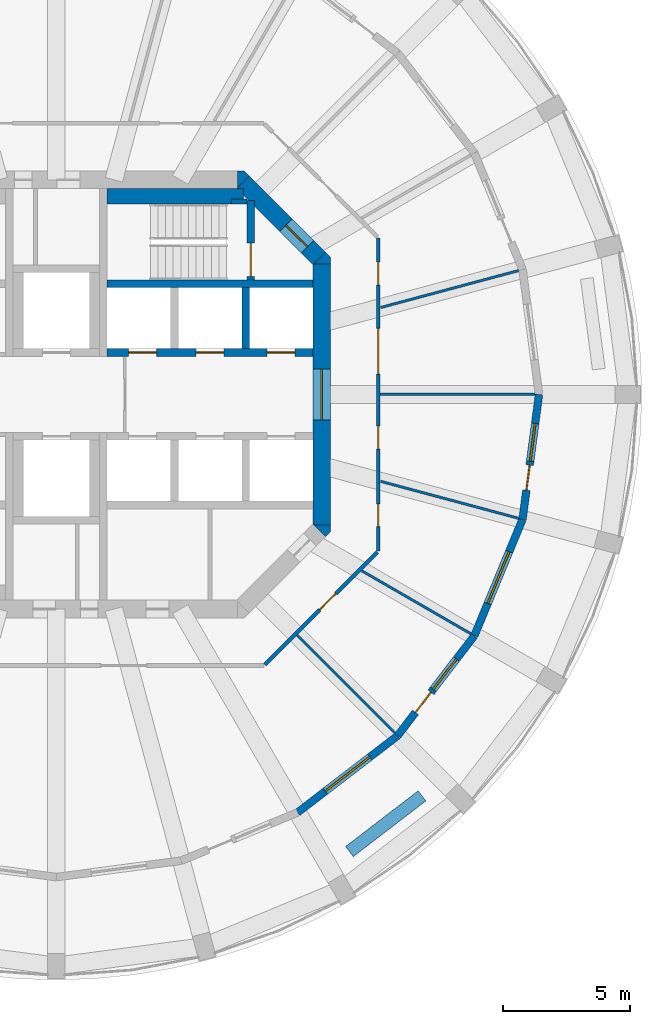
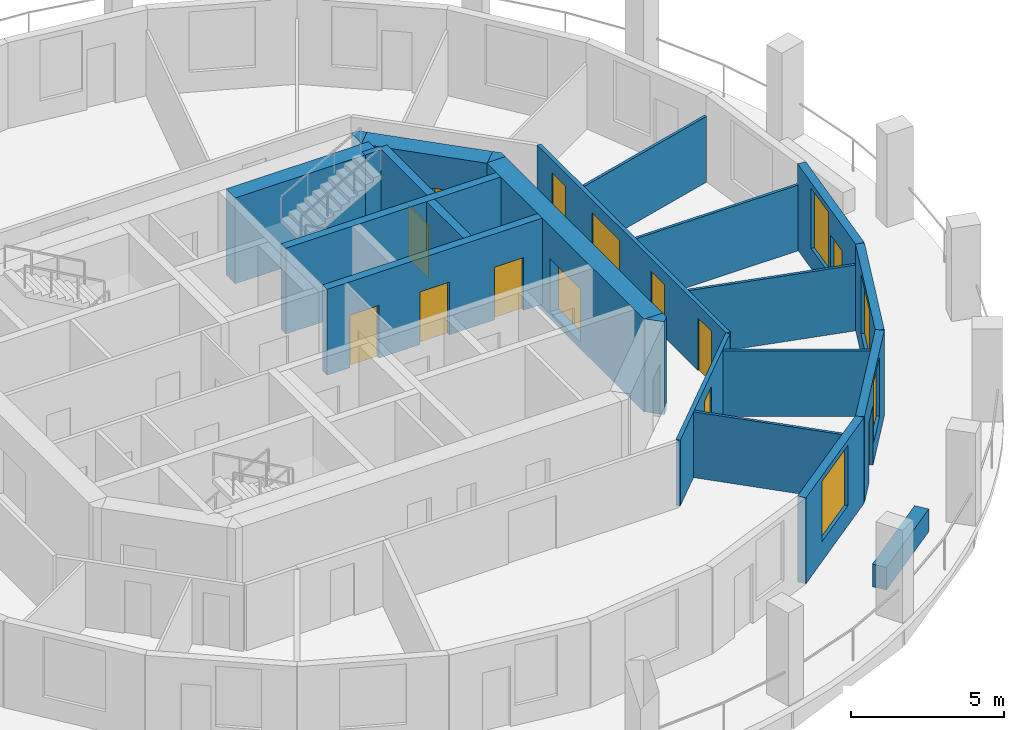
# One storey, part 5 of 9: 23 walls, 13 doors, 4 windows, 17 openings.
"""IFC4 building model written with IfcOpenShell, lengths in metres."""

from ifc_helpers import new_model, si_unit, direction, frame, frame_2d, origin, place, context, subcontext, project, spatial, polyline, rectangle, outline, extrude, material, layer, layer_set, type_object, element, fill, save


model = new_model("IFC4")

# Units and contexts
model_context = context("Model", 3, precision=1e-05, world=origin(), true_north=direction((0.0, 1.0)))
body_context = subcontext(model_context, "Body", "Model", "MODEL_VIEW")
ifc_project = project(units=[si_unit("LENGTHUNIT", "METRE"), si_unit("AREAUNIT", "SQUARE_METRE"), si_unit("VOLUMEUNIT", "CUBIC_METRE"), si_unit("PLANEANGLEUNIT", "RADIAN"), si_unit("MASSUNIT", "GRAM", prefix="KILO")], contexts=[model_context])

# Site, building, storey
site_placement = place(None, origin())
site = spatial("IfcSite", under=ifc_project, at=site_placement, CompositionType="ELEMENT")
building_placement = place(site_placement, origin())
building = spatial("IfcBuilding", under=site, at=building_placement, Name="Torre Triforio", CompositionType="ELEMENT")
storey_placement = place(building_placement, frame((0.0, 0.0, 157.89990234375)))
storey = spatial("IfcBuildingStorey", under=building, at=storey_placement, Name="L35", CompositionType="ELEMENT", Elevation=157.89990234375)

# Wall, opening, door
ifc_material_1 = material(Name="Concrete C50", Category="concrete")
ifc_layer_1 = layer(ifc_material_1, 0.699951171875)
ifc_layer_set_1 = layer_set([ifc_layer_1], Name="Concrete C50")
wall_type_1 = type_object("IfcWallType", Name="Core wall 700 mm C50 EI 120", PredefinedType="SHEAR", material=ifc_layer_set_1)
wall_1_placement = place(storey_placement, frame((10.449951171875, -5.1298828125, -0.27978515625), z_axis=(0.0, 0.0, 1.0), x_axis=(0.0, 1.0, 0.0)))
wall_1 = element("IfcWall", 1, at=wall_1_placement, inside=storey, type_object=wall_type_1, Name="Core wall", PredefinedType="SHEAR", context=body_context, shape_type="SweptSolid", body=[
    extrude(rectangle(XDim=10.259765625, YDim=0.699951171875, at=frame_2d((5.1298828125, 0.0))), origin(), (0.0, 0.0, 1.0), 3.699951171875),
])
opening_1_placement = place(wall_1_placement, frame((4.1298828125, 0.0, 0.280029296875)))
opening_1 = element("IfcOpeningElement", 2, at=opening_1_placement, cuts=wall_1, Name="Opening E-RING", PredefinedType="OPENING", context=body_context, shape_type="SweptSolid", body=[
    extrude(rectangle(XDim=2.0, YDim=2.10009765625, at=frame_2d((1.0, 1.050048828125))), frame((0.0, 0.35986328125, 0.0), z_axis=(0.0, -1.0, 0.0), x_axis=(1.0, 0.0, 0.0)), (0.0, 0.0, 1.0), 0.719970703125),
])
ifc_material_2 = material(Name="Hollow metal fire door leaf")
door_type_1 = type_object("IfcDoorType", Name="Lobby door 2000 x 2100 EI 60", OperationType="DOUBLE_DOOR_SINGLE_SWING", PredefinedType="DOOR", material=ifc_material_2)
door_1_placement = place(opening_1_placement, origin())
door_1 = element("IfcDoor", 3, at=door_1_placement, inside=storey, type_object=door_type_1, Name="Core door E-RING", OperationType="DOUBLE_DOOR_SINGLE_SWING", OverallHeight=2.10009765625, OverallWidth=2.0, PredefinedType="DOOR", context=body_context, shape_type="SweptSolid", body=[
    extrude(rectangle(XDim=2.0, YDim=2.10009765625, at=frame_2d((1.0, 1.050048828125))), frame((0.0, 0.02490234375, 0.0), z_axis=(0.0, -1.0, 0.0), x_axis=(1.0, 0.0, 0.0)), (0.0, 0.0, 1.0), 0.050048828125),
])
fill(opening_1, door_1)

wall_2_placement = place(storey_placement, frame((7.347412109375, 8.347412109375, -0.27978515625), z_axis=(0.0, 0.0, 1.0), x_axis=(0.707106781187, -0.707106781187, 0.0)))
wall_2 = element("IfcWall", 4, at=wall_2_placement, inside=storey, type_object=wall_type_1, Name="Core wall", PredefinedType="SHEAR", context=body_context, shape_type="SweptSolid", body=[
    extrude(rectangle(XDim=4.24267578125, YDim=0.699951171875, at=frame_2d((2.121337890625, 0.0))), origin(), (0.0, 0.0, 1.0), 3.699951171875),
])
opening_2_placement = place(wall_2_placement, frame((2.392578125, 0.0, 0.280029296875)))
opening_2 = element("IfcOpeningElement", 5, at=opening_2_placement, cuts=wall_2, Name="Opening ST2-EXIT", PredefinedType="OPENING", context=body_context, shape_type="SweptSolid", body=[
    extrude(rectangle(XDim=1.199951171875, YDim=2.10009765625, at=frame_2d((0.60009765625, 1.050048828125))), frame((0.0, 0.35986328125, 0.0), z_axis=(0.0, -1.0, 0.0), x_axis=(1.0, 0.0, 0.0)), (0.0, 0.0, 1.0), 0.719970703125),
])
door_type_2 = type_object("IfcDoorType", Name="Stair lobby door 1200 x 2100 EI 60", OperationType="NOTDEFINED", PredefinedType="DOOR", material=ifc_material_2)
door_2_placement = place(opening_2_placement, origin())
door_2 = element("IfcDoor", 6, at=door_2_placement, inside=storey, type_object=door_type_2, Name="Core door ST2-EXIT", OperationType="SINGLE_SWING_RIGHT", OverallHeight=2.10009765625, OverallWidth=1.199951171875, PredefinedType="DOOR", context=body_context, shape_type="SweptSolid", body=[
    extrude(rectangle(XDim=1.199951171875, YDim=2.10009765625, at=frame_2d((0.60009765625, 1.050048828125))), frame((0.0, 0.02490234375, 0.0), z_axis=(0.0, -1.0, 0.0), x_axis=(1.0, 0.0, 0.0)), (0.0, 0.0, 1.0), 0.050048828125),
])
fill(opening_2, door_2)

# Walls
wall_3_placement = place(storey_placement, frame((0.0, 0.0, -0.27978515625)))
element("IfcWall", 7, at=wall_3_placement, inside=storey, type_object=wall_type_1, Name="Core wall", PredefinedType="SHEAR", context=body_context, shape_type="SweptSolid", body=[
    extrude(outline(polyline([(10.800048828125, -5.389892578125), (10.594970703125, -5.594970703125), (10.594970703125, -5.594970703125), (10.594970703125, -5.594970703125), (10.1298828125, -5.1298828125), (10.800048828125, -5.1298828125), (10.800048828125, -5.1298828125), (10.800048828125, -5.389892578125)])), origin(), (0.0, 0.0, 1.0), 3.699951171875),
])
wall_4_placement = place(storey_placement, frame((0.0, 0.0, -0.27978515625)))
element("IfcWall", 8, at=wall_4_placement, inside=storey, type_object=wall_type_1, Name="Core wall", PredefinedType="SHEAR", context=body_context, shape_type="SweptSolid", body=[
    extrude(outline(polyline([(10.800048828125, 5.389892578125), (10.800048828125, 5.1298828125), (10.800048828125, 5.1298828125), (10.1298828125, 5.1298828125), (10.594970703125, 5.594970703125), (10.594970703125, 5.594970703125), (10.594970703125, 5.594970703125), (10.800048828125, 5.389892578125)])), origin(), (0.0, 0.0, 1.0), 3.699951171875),
])
wall_5_placement = place(storey_placement, frame((0.0, 0.0, -0.27978515625)))
element("IfcWall", 9, at=wall_5_placement, inside=storey, type_object=wall_type_1, Name="Core wall", PredefinedType="SHEAR", context=body_context, shape_type="SweptSolid", body=[
    extrude(outline(polyline([(7.389892578125, 8.800048828125), (7.594970703125, 8.594970703125), (7.594970703125, 8.594970703125), (7.594970703125, 8.594970703125), (7.1298828125, 8.1298828125), (7.1298828125, 8.800048828125), (7.1298828125, 8.800048828125), (7.389892578125, 8.800048828125)])), origin(), (0.0, 0.0, 1.0), 3.699951171875),
])

# Wall, opening, door
ifc_material_3 = material(Name="Plasterboard on metal studs")
ifc_layer_2 = layer(ifc_material_3, 0.14990234375)
ifc_layer_set_2 = layer_set([ifc_layer_2], Name="Plasterboard on metal studs")
wall_type_2 = type_object("IfcWallType", Name="Corridor and tenancy wall 150 mm EI 60", PredefinedType="PARTITIONING", material=ifc_layer_set_2)
wall_6_placement = place(storey_placement, frame((12.637939453125, -6.20361328125, 0.0), z_axis=(0.0, 0.0, 1.0), x_axis=(-0.707106781187, -0.707106781187, 0.0)))
wall_6 = element("IfcWall", 10, at=wall_6_placement, inside=storey, type_object=wall_type_2, Name="Partition 1", PredefinedType="PARTITIONING", context=body_context, shape_type="SweptSolid", body=[
    extrude(rectangle(XDim=6.27099609375, YDim=0.14990234375, at=frame_2d((3.135498046875, 0.0))), origin(), (0.0, 0.0, 1.0), 2.6201171875),
])
opening_3_placement = place(wall_6_placement, frame((2.313720703125, 0.0, 0.0)))
opening_3 = element("IfcOpeningElement", 11, at=opening_3_placement, cuts=wall_6, Name="Opening O1-14", PredefinedType="OPENING", context=body_context, shape_type="SweptSolid", body=[
    extrude(rectangle(XDim=0.89990234375, YDim=2.10009765625, at=frame_2d((0.449951171875, 1.050048828125))), frame((0.0, 0.0849609375, 0.0), z_axis=(0.0, -1.0, 0.0), x_axis=(1.0, 0.0, 0.0)), (0.0, 0.0, 1.0), 0.169921875),
])
ifc_material_4 = material(Name="Timber", Category="wood")
door_type_3 = type_object("IfcDoorType", Name="Door 900 x 2100 single leaf EI 30", OperationType="NOTDEFINED", PredefinedType="DOOR", material=ifc_material_4)
door_3_placement = place(opening_3_placement, origin())
door_3 = element("IfcDoor", 12, at=door_3_placement, inside=storey, type_object=door_type_3, Name="Door O1-14", OperationType="SINGLE_SWING_LEFT", OverallHeight=2.10009765625, OverallWidth=0.89990234375, PredefinedType="DOOR", context=body_context, shape_type="SweptSolid", body=[
    extrude(rectangle(XDim=0.89990234375, YDim=2.10009765625, at=frame_2d((0.449951171875, 1.050048828125))), frame((0.0, 0.02490234375, 0.0), z_axis=(0.0, -1.0, 0.0), x_axis=(1.0, 0.0, 0.0)), (0.0, 0.0, 1.0), 0.050048828125),
])
fill(opening_3, door_3)

# Wall, openings, doors
wall_7_placement = place(storey_placement, frame((12.675048828125, 6.16650390625, 0.0), z_axis=(0.0, 0.0, 1.0), x_axis=(0.0, -1.0, 0.0)))
wall_7 = element("IfcWall", 13, at=wall_7_placement, inside=storey, type_object=wall_type_2, Name="Partition 10", PredefinedType="PARTITIONING", context=body_context, shape_type="SweptSolid", body=[
    extrude(rectangle(XDim=12.3330078125, YDim=0.14990234375, at=frame_2d((6.16650390625, 0.0))), origin(), (0.0, 0.0, 1.0), 2.6201171875),
])
opening_4_placement = place(wall_7_placement, frame((3.567626953125, 0.0, 0.0)))
opening_4 = element("IfcOpeningElement", 14, at=opening_4_placement, cuts=wall_7, Name="Opening O1-01", PredefinedType="OPENING", context=body_context, shape_type="SweptSolid", body=[
    extrude(rectangle(XDim=1.800048828125, YDim=2.10009765625, at=frame_2d((0.89990234375, 1.050048828125))), frame((0.0, 0.0849609375, 0.0), z_axis=(0.0, -1.0, 0.0), x_axis=(1.0, 0.0, 0.0)), (0.0, 0.0, 1.0), 0.169921875),
])
opening_5_placement = place(wall_7_placement, frame((0.960205078125, 0.0, 0.0)))
opening_5 = element("IfcOpeningElement", 15, at=opening_5_placement, cuts=wall_7, Name="Opening O1-02", PredefinedType="OPENING", context=body_context, shape_type="SweptSolid", body=[
    extrude(rectangle(XDim=0.89990234375, YDim=2.10009765625, at=frame_2d((0.449951171875, 1.050048828125))), frame((0.0, 0.0849609375, 0.0), z_axis=(0.0, -1.0, 0.0), x_axis=(1.0, 0.0, 0.0)), (0.0, 0.0, 1.0), 0.169921875),
])
opening_6_placement = place(wall_7_placement, frame((10.47314453125, 0.0, 0.0)))
opening_6 = element("IfcOpeningElement", 16, at=opening_6_placement, cuts=wall_7, Name="Opening O1-15", PredefinedType="OPENING", context=body_context, shape_type="SweptSolid", body=[
    extrude(rectangle(XDim=0.89990234375, YDim=2.10009765625, at=frame_2d((0.449951171875, 1.050048828125))), frame((0.0, 0.0849609375, 0.0), z_axis=(0.0, -1.0, 0.0), x_axis=(1.0, 0.0, 0.0)), (0.0, 0.0, 1.0), 0.169921875),
])
opening_7_placement = place(wall_7_placement, frame((7.41552734375, 0.0, 0.0)))
opening_7 = element("IfcOpeningElement", 17, at=opening_7_placement, cuts=wall_7, Name="Opening O1-16", PredefinedType="OPENING", context=body_context, shape_type="SweptSolid", body=[
    extrude(rectangle(XDim=0.89990234375, YDim=2.10009765625, at=frame_2d((0.449951171875, 1.050048828125))), frame((0.0, 0.0849609375, 0.0), z_axis=(0.0, -1.0, 0.0), x_axis=(1.0, 0.0, 0.0)), (0.0, 0.0, 1.0), 0.169921875),
])
door_type_4 = type_object("IfcDoorType", Name="Door 1800 x 2100 double leaf EI 30", OperationType="DOUBLE_DOOR_SINGLE_SWING", PredefinedType="DOOR", material=ifc_material_4)
door_4_placement = place(opening_4_placement, origin())
door_4 = element("IfcDoor", 18, at=door_4_placement, inside=storey, type_object=door_type_4, Name="Door O1-01", OperationType="DOUBLE_DOOR_SINGLE_SWING", OverallHeight=2.10009765625, OverallWidth=1.800048828125, PredefinedType="DOOR", context=body_context, shape_type="SweptSolid", body=[
    extrude(rectangle(XDim=1.800048828125, YDim=2.10009765625, at=frame_2d((0.89990234375, 1.050048828125))), frame((0.0, 0.02490234375, 0.0), z_axis=(0.0, -1.0, 0.0), x_axis=(1.0, 0.0, 0.0)), (0.0, 0.0, 1.0), 0.050048828125),
])
fill(opening_4, door_4)
door_5_placement = place(opening_5_placement, origin())
door_5 = element("IfcDoor", 19, at=door_5_placement, inside=storey, type_object=door_type_3, Name="Door O1-02", OperationType="SINGLE_SWING_LEFT", OverallHeight=2.10009765625, OverallWidth=0.89990234375, PredefinedType="DOOR", context=body_context, shape_type="SweptSolid", body=[
    extrude(rectangle(XDim=0.89990234375, YDim=2.10009765625, at=frame_2d((0.449951171875, 1.050048828125))), frame((0.0, 0.02490234375, 0.0), z_axis=(0.0, -1.0, 0.0), x_axis=(1.0, 0.0, 0.0)), (0.0, 0.0, 1.0), 0.050048828125),
])
fill(opening_5, door_5)
door_6_placement = place(opening_6_placement, origin())
door_6 = element("IfcDoor", 20, at=door_6_placement, inside=storey, type_object=door_type_3, Name="Door O1-15", OperationType="SINGLE_SWING_LEFT", OverallHeight=2.10009765625, OverallWidth=0.89990234375, PredefinedType="DOOR", context=body_context, shape_type="SweptSolid", body=[
    extrude(rectangle(XDim=0.89990234375, YDim=2.10009765625, at=frame_2d((0.449951171875, 1.050048828125))), frame((0.0, 0.02490234375, 0.0), z_axis=(0.0, -1.0, 0.0), x_axis=(1.0, 0.0, 0.0)), (0.0, 0.0, 1.0), 0.050048828125),
])
fill(opening_6, door_6)
door_7_placement = place(opening_7_placement, origin())
door_7 = element("IfcDoor", 21, at=door_7_placement, inside=storey, type_object=door_type_3, Name="Door O1-16", OperationType="SINGLE_SWING_LEFT", OverallHeight=2.10009765625, OverallWidth=0.89990234375, PredefinedType="DOOR", context=body_context, shape_type="SweptSolid", body=[
    extrude(rectangle(XDim=0.89990234375, YDim=2.10009765625, at=frame_2d((0.449951171875, 1.050048828125))), frame((0.0, 0.02490234375, 0.0), z_axis=(0.0, -1.0, 0.0), x_axis=(1.0, 0.0, 0.0)), (0.0, 0.0, 1.0), 0.050048828125),
])
fill(opening_7, door_7)

# Walls
ifc_layer_3 = layer(ifc_material_3, 0.10009765625)
ifc_layer_set_3 = layer_set([ifc_layer_3], Name="Plasterboard on metal studs")
wall_type_3 = type_object("IfcWallType", Name="Partition 100 mm board on metal studs", PredefinedType="PARTITIONING", material=ifc_layer_set_3)
wall_8_placement = place(storey_placement, frame((12.75, 0.0, 0.0), z_axis=(0.0, 0.0, 1.0), x_axis=(1.0, 0.0, 0.0)))
element("IfcWall", 22, at=wall_8_placement, inside=storey, type_object=wall_type_3, Name="Partition 11", PredefinedType="PARTITIONING", context=body_context, shape_type="SweptSolid", body=[
    extrude(rectangle(XDim=6.086669921875, YDim=0.10009765625, at=frame_2d((3.04345703125, 0.0))), origin(), (0.0, 0.0, 1.0), 2.6201171875),
])
wall_9_placement = place(storey_placement, frame((12.764404296875, 3.420166015625, 0.0), z_axis=(0.0, 0.0, 1.0), x_axis=(0.965925759926, 0.258819292773, 0.0)))
element("IfcWall", 23, at=wall_9_placement, inside=storey, type_object=wall_type_3, Name="Partition 12", PredefinedType="PARTITIONING", context=body_context, shape_type="SweptSolid", body=[
    extrude(rectangle(XDim=5.6220703125, YDim=0.10009765625, at=frame_2d((2.81103515625, 0.0))), origin(), (0.0, 0.0, 1.0), 2.6201171875),
])
wall_10_placement = place(storey_placement, frame((9.473876953125, -9.473876953125, 0.0), z_axis=(0.0, 0.0, 1.0), x_axis=(0.707106781187, -0.707106781187, 0.0)))
element("IfcWall", 24, at=wall_10_placement, inside=storey, type_object=wall_type_3, Name="Partition 24", PredefinedType="PARTITIONING", context=body_context, shape_type="SweptSolid", body=[
    extrude(rectangle(XDim=5.438720703125, YDim=0.10009765625, at=frame_2d((2.71923828125, 0.0))), origin(), (0.0, 0.0, 1.0), 2.6201171875),
])
wall_11_placement = place(storey_placement, frame((12.025146484375, -6.94287109375, 0.0), z_axis=(0.0, 0.0, 1.0), x_axis=(0.866025463095, -0.499999897272, 0.0)))
element("IfcWall", 25, at=wall_11_placement, inside=storey, type_object=wall_type_3, Name="Partition 25", PredefinedType="PARTITIONING", context=body_context, shape_type="SweptSolid", body=[
    extrude(rectangle(XDim=4.951171875, YDim=0.10009765625, at=frame_2d((2.4755859375, 0.0))), origin(), (0.0, 0.0, 1.0), 2.6201171875),
])
wall_12_placement = place(storey_placement, frame((12.764404296875, -3.420166015625, 0.0), z_axis=(0.0, 0.0, 1.0), x_axis=(0.965925759926, -0.258819292773, 0.0)))
element("IfcWall", 26, at=wall_12_placement, inside=storey, type_object=wall_type_3, Name="Partition 26", PredefinedType="PARTITIONING", context=body_context, shape_type="SweptSolid", body=[
    extrude(rectangle(XDim=5.6220703125, YDim=0.10009765625, at=frame_2d((2.81103515625, 0.0))), origin(), (0.0, 0.0, 1.0), 2.6201171875),
])
ifc_material_5 = material(Name="Limestone cladding", Category="masonry")
ifc_layer_4 = layer(ifc_material_5, 0.10009765625)
ifc_material_6 = material(Name="Concrete C40", Category="concrete")
ifc_layer_5 = layer(ifc_material_6, 0.39990234375)
ifc_layer_set_4 = layer_set([ifc_layer_4, ifc_layer_5], Name="Limestone cladding / Concrete C40")
wall_type_4 = type_object("IfcWallType", Name="Planter wall 500", PredefinedType="PARAPET", material=ifc_layer_set_4)
wall_13_placement = place(storey_placement, frame((11.53857421875, -17.994140625, 0.0), z_axis=(0.0, 0.0, 1.0), x_axis=(0.793384730612, 0.608720518162, 0.0)))
element("IfcWall", 27, at=wall_13_placement, inside=storey, type_object=wall_type_4, Name="Planter L35 bay 21", PredefinedType="PARAPET", context=body_context, shape_type="SweptSolid", body=[
    extrude(rectangle(XDim=3.60009765625, YDim=0.5, at=frame_2d((1.800048828125, 0.0))), origin(), (0.0, 0.0, 1.0), 0.900146484375),
])
ifc_layer_6 = layer(ifc_material_1, 0.300048828125)
ifc_layer_set_5 = layer_set([ifc_layer_6], Name="Concrete C50")
wall_type_5 = type_object("IfcWallType", Name="Shaft wall 300 mm C50 EI 120", PredefinedType="SOLIDWALL", material=ifc_layer_set_5)
wall_14_placement = place(storey_placement, frame((2.0, 4.35009765625, 0.0), z_axis=(0.0, 0.0, 1.0), x_axis=(1.0, 0.0, 0.0)))
element("IfcWall", 28, at=wall_14_placement, inside=storey, type_object=wall_type_5, Name="Shaft wall", PredefinedType="SOLIDWALL", context=body_context, shape_type="SweptSolid", body=[
    extrude(rectangle(XDim=8.10009765625, YDim=0.300048828125, at=frame_2d((4.050048828125, 0.0))), origin(), (0.0, 0.0, 1.0), 3.420166015625),
])

# Wall, openings, doors
wall_15_placement = place(storey_placement, frame((2.0, 1.64990234375, 0.0), z_axis=(0.0, 0.0, 1.0), x_axis=(1.0, 0.0, 0.0)))
wall_15 = element("IfcWall", 29, at=wall_15_placement, inside=storey, type_object=wall_type_5, Name="Shaft wall", PredefinedType="SOLIDWALL", context=body_context, shape_type="SweptSolid", body=[
    extrude(rectangle(XDim=8.10009765625, YDim=0.300048828125, at=frame_2d((4.050048828125, 0.0))), origin(), (0.0, 0.0, 1.0), 3.420166015625),
])
opening_8_placement = place(wall_15_placement, frame((0.85009765625, 0.0, 0.0)))
opening_8 = element("IfcOpeningElement", 30, at=opening_8_placement, cuts=wall_15, Name="Opening LD", PredefinedType="OPENING", context=body_context, shape_type="SweptSolid", body=[
    extrude(rectangle(XDim=1.10009765625, YDim=2.10009765625, at=frame_2d((0.550048828125, 1.050048828125))), frame((0.0, 0.159912109375, 0.0), z_axis=(0.0, -1.0, 0.0), x_axis=(1.0, 0.0, 0.0)), (0.0, 0.0, 1.0), 0.320068359375),
])
opening_9_placement = place(wall_15_placement, frame((3.5, 0.0, 0.0)))
opening_9 = element("IfcOpeningElement", 31, at=opening_9_placement, cuts=wall_15, Name="Opening LD", PredefinedType="OPENING", context=body_context, shape_type="SweptSolid", body=[
    extrude(rectangle(XDim=1.10009765625, YDim=2.10009765625, at=frame_2d((0.550048828125, 1.050048828125))), frame((0.0, 0.159912109375, 0.0), z_axis=(0.0, -1.0, 0.0), x_axis=(1.0, 0.0, 0.0)), (0.0, 0.0, 1.0), 0.320068359375),
])
opening_10_placement = place(wall_15_placement, frame((6.300048828125, 0.0, 0.0)))
opening_10 = element("IfcOpeningElement", 32, at=opening_10_placement, cuts=wall_15, Name="Opening LD", PredefinedType="OPENING", context=body_context, shape_type="SweptSolid", body=[
    extrude(rectangle(XDim=1.10009765625, YDim=2.10009765625, at=frame_2d((0.550048828125, 1.050048828125))), frame((0.0, 0.159912109375, 0.0), z_axis=(0.0, -1.0, 0.0), x_axis=(1.0, 0.0, 0.0)), (0.0, 0.0, 1.0), 0.320068359375),
])
door_type_5 = type_object("IfcDoorType", Name="Landing door 1100 x 2100 EI 60", OperationType="DOUBLE_DOOR_SLIDING", PredefinedType="DOOR", material=ifc_material_2)
door_8_placement = place(opening_8_placement, origin())
door_8 = element("IfcDoor", 33, at=door_8_placement, inside=storey, type_object=door_type_5, Name="Landing door HR1", OperationType="DOUBLE_DOOR_SLIDING", OverallHeight=2.10009765625, OverallWidth=1.10009765625, PredefinedType="DOOR", context=body_context, shape_type="SweptSolid", body=[
    extrude(rectangle(XDim=1.10009765625, YDim=2.10009765625, at=frame_2d((0.550048828125, 1.050048828125))), frame((0.0, 0.02490234375, 0.0), z_axis=(0.0, -1.0, 0.0), x_axis=(1.0, 0.0, 0.0)), (0.0, 0.0, 1.0), 0.050048828125),
])
fill(opening_8, door_8)
door_9_placement = place(opening_9_placement, origin())
door_9 = element("IfcDoor", 34, at=door_9_placement, inside=storey, type_object=door_type_5, Name="Landing door HR2", OperationType="DOUBLE_DOOR_SLIDING", OverallHeight=2.10009765625, OverallWidth=1.10009765625, PredefinedType="DOOR", context=body_context, shape_type="SweptSolid", body=[
    extrude(rectangle(XDim=1.10009765625, YDim=2.10009765625, at=frame_2d((0.550048828125, 1.050048828125))), frame((0.0, 0.02490234375, 0.0), z_axis=(0.0, -1.0, 0.0), x_axis=(1.0, 0.0, 0.0)), (0.0, 0.0, 1.0), 0.050048828125),
])
fill(opening_9, door_9)
door_10_placement = place(opening_10_placement, origin())
door_10 = element("IfcDoor", 35, at=door_10_placement, inside=storey, type_object=door_type_5, Name="Landing door HR3", OperationType="DOUBLE_DOOR_SLIDING", OverallHeight=2.10009765625, OverallWidth=1.10009765625, PredefinedType="DOOR", context=body_context, shape_type="SweptSolid", body=[
    extrude(rectangle(XDim=1.10009765625, YDim=2.10009765625, at=frame_2d((0.550048828125, 1.050048828125))), frame((0.0, 0.02490234375, 0.0), z_axis=(0.0, -1.0, 0.0), x_axis=(1.0, 0.0, 0.0)), (0.0, 0.0, 1.0), 0.050048828125),
])
fill(opening_10, door_10)

# Walls
wall_16_placement = place(storey_placement, frame((7.449951171875, 1.800048828125, 0.0), z_axis=(0.0, 0.0, 1.0), x_axis=(0.0, 1.0, 0.0)))
element("IfcWall", 36, at=wall_16_placement, inside=storey, type_object=wall_type_5, Name="Shaft wall", PredefinedType="SOLIDWALL", context=body_context, shape_type="SweptSolid", body=[
    extrude(rectangle(XDim=2.39990234375, YDim=0.300048828125, at=frame_2d((1.199951171875, 0.0))), origin(), (0.0, 0.0, 1.0), 3.420166015625),
])
ifc_layer_7 = layer(ifc_material_1, 0.199951171875)
ifc_layer_set_6 = layer_set([ifc_layer_7], Name="Concrete C50")
wall_type_6 = type_object("IfcWallType", Name="Stair wall 200 mm C50 EI 120", PredefinedType="SHEAR", material=ifc_layer_set_6)
wall_17_placement = place(storey_placement, frame((6.89990234375, 7.60009765625, 0.0), z_axis=(0.0, 0.0, 1.0), x_axis=(1.0, 0.0, 0.0)))
element("IfcWall", 37, at=wall_17_placement, inside=storey, type_object=wall_type_6, Name="Stair wall", PredefinedType="SHEAR", context=body_context, shape_type="SweptSolid", body=[
    extrude(rectangle(XDim=0.60009765625, YDim=0.199951171875, at=frame_2d((0.300048828125, 0.0))), origin(), (0.0, 0.0, 1.0), 3.420166015625),
])

# Wall, opening, door
ifc_layer_8 = layer(ifc_material_1, 0.300048828125)
ifc_layer_set_7 = layer_set([ifc_layer_8], Name="Concrete C50")
wall_type_7 = type_object("IfcWallType", Name="Stair wall 300 mm C50 EI 120", PredefinedType="SHEAR", material=ifc_layer_set_7)
wall_18_placement = place(storey_placement, frame((7.64990234375, 4.5, 0.0), z_axis=(0.0, 0.0, 1.0), x_axis=(0.0, 1.0, 0.0)))
wall_18 = element("IfcWall", 38, at=wall_18_placement, inside=storey, type_object=wall_type_7, Name="Stair wall", PredefinedType="SHEAR", context=body_context, shape_type="SweptSolid", body=[
    extrude(rectangle(XDim=3.139892578125, YDim=0.300048828125, at=frame_2d((1.56982421875, 0.0))), origin(), (0.0, 0.0, 1.0), 3.420166015625),
])
opening_11_placement = place(wall_18_placement, frame((0.139892578125, 0.0, 0.0)))
opening_11 = element("IfcOpeningElement", 39, at=opening_11_placement, cuts=wall_18, Name="Opening ST2-STA", PredefinedType="OPENING", context=body_context, shape_type="SweptSolid", body=[
    extrude(rectangle(XDim=1.320068359375, YDim=2.10009765625, at=frame_2d((0.66015625, 1.050048828125))), frame((0.0, 0.159912109375, 0.0), z_axis=(0.0, -1.0, 0.0), x_axis=(1.0, 0.0, 0.0)), (0.0, 0.0, 1.0), 0.320068359375),
])
door_type_6 = type_object("IfcDoorType", Name="Stair door 1320 x 2100 EI 90", OperationType="DOUBLE_DOOR_SINGLE_SWING", PredefinedType="DOOR", material=ifc_material_2)
door_11_placement = place(opening_11_placement, origin())
door_11 = element("IfcDoor", 40, at=door_11_placement, inside=storey, type_object=door_type_6, Name="Core door ST2-ST", OperationType="DOUBLE_DOOR_SINGLE_SWING", OverallHeight=2.10009765625, OverallWidth=1.320068359375, PredefinedType="DOOR", context=body_context, shape_type="SweptSolid", body=[
    extrude(rectangle(XDim=1.320068359375, YDim=2.10009765625, at=frame_2d((0.66015625, 1.050048828125))), frame((0.0, 0.02490234375, 0.0), z_axis=(0.0, -1.0, 0.0), x_axis=(1.0, 0.0, 0.0)), (0.0, 0.0, 1.0), 0.050048828125),
])
fill(opening_11, door_11)

# Wall
ifc_layer_9 = layer(ifc_material_1, 0.60009765625)
ifc_layer_set_8 = layer_set([ifc_layer_9], Name="Concrete C50")
wall_type_8 = type_object("IfcWallType", Name="Stair wall 600 mm C50 EI 120", PredefinedType="SHEAR", material=ifc_layer_set_8)
wall_19_placement = place(storey_placement, frame((2.0, 7.800048828125, 0.0), z_axis=(0.0, 0.0, 1.0), x_axis=(1.0, 0.0, 0.0)))
element("IfcWall", 41, at=wall_19_placement, inside=storey, type_object=wall_type_8, Name="Stair wall", PredefinedType="SHEAR", context=body_context, shape_type="SweptSolid", body=[
    extrude(rectangle(XDim=5.3701171875, YDim=0.60009765625, at=frame_2d((2.68505859375, 0.0))), origin(), (0.0, 0.0, 1.0), 3.420166015625),
])

# Wall, opening, window
ifc_layer_10 = layer(ifc_material_5, 0.10009765625)
ifc_layer_11 = layer(ifc_material_6, 0.199951171875)
ifc_layer_set_9 = layer_set([ifc_layer_10, ifc_layer_11], Name="Limestone cladding / Concrete C40")
wall_type_9 = type_object("IfcWallType", Name="Stone-faced composite wall 300", PredefinedType="STANDARD", material=ifc_layer_set_9)
wall_20_placement = place(storey_placement, frame((9.5, -16.45458984375, 0.0), z_axis=(0.0, 0.0, 1.0), x_axis=(0.793348024649, 0.608768356425, 0.0)))
wall_20 = element("IfcWall", 42, at=wall_20_placement, inside=storey, type_object=wall_type_9, Name="External wall L35 bay 21", PredefinedType="STANDARD", context=body_context, shape_type="SweptSolid", body=[
    extrude(rectangle(XDim=4.9599609375, YDim=0.300048828125, at=frame_2d((2.47998046875, 0.0))), origin(), (0.0, 0.0, 1.0), 3.420166015625),
])
opening_12_placement = place(wall_20_placement, frame((1.3798828125, 0.0, 0.800048828125)))
opening_12 = element("IfcOpeningElement", 43, at=opening_12_placement, cuts=wall_20, Name="Opening O1-W21", PredefinedType="OPENING", context=body_context, shape_type="SweptSolid", body=[
    extrude(rectangle(XDim=2.199951171875, YDim=2.39990234375, at=frame_2d((1.10009765625, 1.199951171875))), frame((0.0, 0.159912109375, 0.0), z_axis=(0.0, -1.0, 0.0), x_axis=(1.0, 0.0, 0.0)), (0.0, 0.0, 1.0), 0.320068359375),
])
ifc_material_7 = material(Name="Aluminium frame with clear double glazing", Category="aluminium")
window_type_1 = type_object("IfcWindowType", Name="Punched window 2200 x 2400", PartitioningType="DOUBLE_PANEL_VERTICAL", PredefinedType="WINDOW", material=ifc_material_7)
window_1_placement = place(opening_12_placement, origin())
window_1 = element("IfcWindow", 44, at=window_1_placement, inside=storey, type_object=window_type_1, Name="Window EWN5 L35 bay 21", OverallHeight=2.39990234375, OverallWidth=2.199951171875, PartitioningType="SINGLE_PANEL", PredefinedType="WINDOW", context=body_context, shape_type="SweptSolid", body=[
    extrude(rectangle(XDim=2.199951171875, YDim=2.39990234375, at=frame_2d((1.10009765625, 1.199951171875))), frame((0.0, 0.030029296875, 0.0), z_axis=(0.0, -1.0, 0.0), x_axis=(1.0, 0.0, 0.0)), (0.0, 0.0, 1.0), 0.06005859375),
])
fill(opening_12, window_1)

# Wall, openings, door, window
wall_21_placement = place(storey_placement, frame((13.43505859375, -13.43505859375, 0.0), z_axis=(0.0, 0.0, 1.0), x_axis=(0.608768356425, 0.793348024649, 0.0)))
wall_21 = element("IfcWall", 45, at=wall_21_placement, inside=storey, type_object=wall_type_9, Name="External wall L35 bay 22", PredefinedType="STANDARD", context=body_context, shape_type="SweptSolid", body=[
    extrude(rectangle(XDim=4.9599609375, YDim=0.300048828125, at=frame_2d((2.47998046875, 0.0))), origin(), (0.0, 0.0, 1.0), 3.420166015625),
])
opening_13_placement = place(wall_21_placement, frame((1.155029296875, 0.0, 0.0)))
opening_13 = element("IfcOpeningElement", 46, at=opening_13_placement, cuts=wall_21, Name="Opening O1-D22", PredefinedType="OPENING", context=body_context, shape_type="SweptSolid", body=[
    extrude(rectangle(XDim=1.0, YDim=2.39990234375, at=frame_2d((0.5, 1.199951171875))), frame((0.0, 0.159912109375, 0.0), z_axis=(0.0, -1.0, 0.0), x_axis=(1.0, 0.0, 0.0)), (0.0, 0.0, 1.0), 0.320068359375),
])
opening_14_placement = place(wall_21_placement, frame((2.304931640625, 0.0, 0.800048828125)))
opening_14 = element("IfcOpeningElement", 47, at=opening_14_placement, cuts=wall_21, Name="Opening O1-W22A", PredefinedType="OPENING", context=body_context, shape_type="SweptSolid", body=[
    extrude(rectangle(XDim=1.5, YDim=2.39990234375, at=frame_2d((0.75, 1.199951171875))), frame((0.0, 0.159912109375, 0.0), z_axis=(0.0, -1.0, 0.0), x_axis=(1.0, 0.0, 0.0)), (0.0, 0.0, 1.0), 0.320068359375),
])
door_type_7 = type_object("IfcDoorType", Name="Loggia door 1000 x 2400", OperationType="NOTDEFINED", PredefinedType="DOOR", material=ifc_material_7)
door_12_placement = place(opening_13_placement, origin())
door_12 = element("IfcDoor", 48, at=door_12_placement, inside=storey, type_object=door_type_7, Name="Loggia door L35 bay 22", OperationType="SINGLE_SWING_LEFT", OverallHeight=2.39990234375, OverallWidth=1.0, PredefinedType="DOOR", context=body_context, shape_type="SweptSolid", body=[
    extrude(rectangle(XDim=1.0, YDim=2.39990234375, at=frame_2d((0.5, 1.199951171875))), frame((0.0, 0.02490234375, 0.0), z_axis=(0.0, -1.0, 0.0), x_axis=(1.0, 0.0, 0.0)), (0.0, 0.0, 1.0), 0.050048828125),
])
fill(opening_13, door_12)
window_type_2 = type_object("IfcWindowType", Name="Side window 1500 x 2400", PartitioningType="SINGLE_PANEL", PredefinedType="WINDOW", material=ifc_material_7)
window_2_placement = place(opening_14_placement, origin())
window_2 = element("IfcWindow", 49, at=window_2_placement, inside=storey, type_object=window_type_2, Name="Side window EWN14 L35 bay 22", OverallHeight=2.39990234375, OverallWidth=1.5, PartitioningType="SINGLE_PANEL", PredefinedType="WINDOW", context=body_context, shape_type="SweptSolid", body=[
    extrude(rectangle(XDim=1.5, YDim=2.39990234375, at=frame_2d((0.75, 1.199951171875))), frame((0.0, 0.030029296875, 0.0), z_axis=(0.0, -1.0, 0.0), x_axis=(1.0, 0.0, 0.0)), (0.0, 0.0, 1.0), 0.06005859375),
])
fill(opening_14, window_2)

# Wall, opening, window
wall_22_placement = place(storey_placement, frame((16.45458984375, -9.5, 0.0), z_axis=(0.0, 0.0, 1.0), x_axis=(0.382650301762, 0.923893254961, 0.0)))
wall_22 = element("IfcWall", 50, at=wall_22_placement, inside=storey, type_object=wall_type_9, Name="External wall L35 bay 23", PredefinedType="STANDARD", context=body_context, shape_type="SweptSolid", body=[
    extrude(rectangle(XDim=4.9599609375, YDim=0.300048828125, at=frame_2d((2.47998046875, 0.0))), origin(), (0.0, 0.0, 1.0), 3.420166015625),
])
opening_15_placement = place(wall_22_placement, frame((1.3798828125, 0.0, 0.800048828125)))
opening_15 = element("IfcOpeningElement", 51, at=opening_15_placement, cuts=wall_22, Name="Opening O1-W23", PredefinedType="OPENING", context=body_context, shape_type="SweptSolid", body=[
    extrude(rectangle(XDim=2.199951171875, YDim=2.39990234375, at=frame_2d((1.10009765625, 1.199951171875))), frame((0.0, 0.159912109375, 0.0), z_axis=(0.0, -1.0, 0.0), x_axis=(1.0, 0.0, 0.0)), (0.0, 0.0, 1.0), 0.320068359375),
])
window_3_placement = place(opening_15_placement, origin())
window_3 = element("IfcWindow", 52, at=window_3_placement, inside=storey, type_object=window_type_1, Name="Window EWN5 L35 bay 23", OverallHeight=2.39990234375, OverallWidth=2.199951171875, PartitioningType="SINGLE_PANEL", PredefinedType="WINDOW", context=body_context, shape_type="SweptSolid", body=[
    extrude(rectangle(XDim=2.199951171875, YDim=2.39990234375, at=frame_2d((1.10009765625, 1.199951171875))), frame((0.0, 0.030029296875, 0.0), z_axis=(0.0, -1.0, 0.0), x_axis=(1.0, 0.0, 0.0)), (0.0, 0.0, 1.0), 0.06005859375),
])
fill(opening_15, window_3)

# Wall, openings, door, window
wall_23_placement = place(storey_placement, frame((18.3525390625, -4.91748046875, 0.0), z_axis=(0.0, 0.0, 1.0), x_axis=(0.130538549191, 0.991443234469, 0.0)))
wall_23 = element("IfcWall", 53, at=wall_23_placement, inside=storey, type_object=wall_type_9, Name="External wall L35 bay 24", PredefinedType="STANDARD", context=body_context, shape_type="SweptSolid", body=[
    extrude(rectangle(XDim=4.9599609375, YDim=0.300048828125, at=frame_2d((2.47998046875, 0.0))), origin(), (0.0, 0.0, 1.0), 3.420166015625),
])
opening_16_placement = place(wall_23_placement, frame((1.155029296875, 0.0, 0.0)))
opening_16 = element("IfcOpeningElement", 54, at=opening_16_placement, cuts=wall_23, Name="Opening O1-D24", PredefinedType="OPENING", context=body_context, shape_type="SweptSolid", body=[
    extrude(rectangle(XDim=1.0, YDim=2.39990234375, at=frame_2d((0.5, 1.199951171875))), frame((0.0, 0.159912109375, 0.0), z_axis=(0.0, -1.0, 0.0), x_axis=(1.0, 0.0, 0.0)), (0.0, 0.0, 1.0), 0.320068359375),
])
opening_17_placement = place(wall_23_placement, frame((2.304931640625, 0.0, 0.800048828125)))
opening_17 = element("IfcOpeningElement", 55, at=opening_17_placement, cuts=wall_23, Name="Opening O1-W24A", PredefinedType="OPENING", context=body_context, shape_type="SweptSolid", body=[
    extrude(rectangle(XDim=1.5, YDim=2.39990234375, at=frame_2d((0.75, 1.199951171875))), frame((0.0, 0.159912109375, 0.0), z_axis=(0.0, -1.0, 0.0), x_axis=(1.0, 0.0, 0.0)), (0.0, 0.0, 1.0), 0.320068359375),
])
door_13_placement = place(opening_16_placement, origin())
door_13 = element("IfcDoor", 56, at=door_13_placement, inside=storey, type_object=door_type_7, Name="Loggia door L35 bay 24", OperationType="SINGLE_SWING_LEFT", OverallHeight=2.39990234375, OverallWidth=1.0, PredefinedType="DOOR", context=body_context, shape_type="SweptSolid", body=[
    extrude(rectangle(XDim=1.0, YDim=2.39990234375, at=frame_2d((0.5, 1.199951171875))), frame((0.0, 0.02490234375, 0.0), z_axis=(0.0, -1.0, 0.0), x_axis=(1.0, 0.0, 0.0)), (0.0, 0.0, 1.0), 0.050048828125),
])
fill(opening_16, door_13)
window_4_placement = place(opening_17_placement, origin())
window_4 = element("IfcWindow", 57, at=window_4_placement, inside=storey, type_object=window_type_2, Name="Side window EWN14 L35 bay 24", OverallHeight=2.39990234375, OverallWidth=1.5, PartitioningType="SINGLE_PANEL", PredefinedType="WINDOW", context=body_context, shape_type="SweptSolid", body=[
    extrude(rectangle(XDim=1.5, YDim=2.39990234375, at=frame_2d((0.75, 1.199951171875))), frame((0.0, 0.030029296875, 0.0), z_axis=(0.0, -1.0, 0.0), x_axis=(1.0, 0.0, 0.0)), (0.0, 0.0, 1.0), 0.06005859375),
])
fill(opening_17, window_4)

save(model, "model.ifc")
